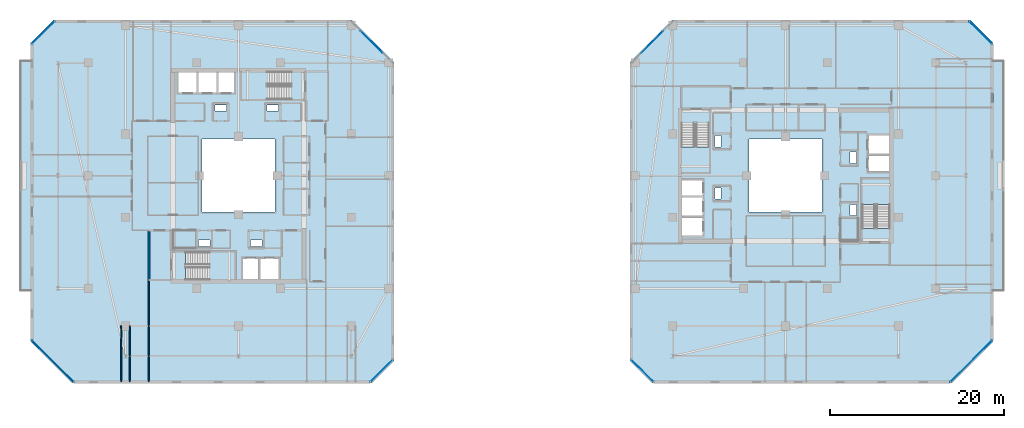
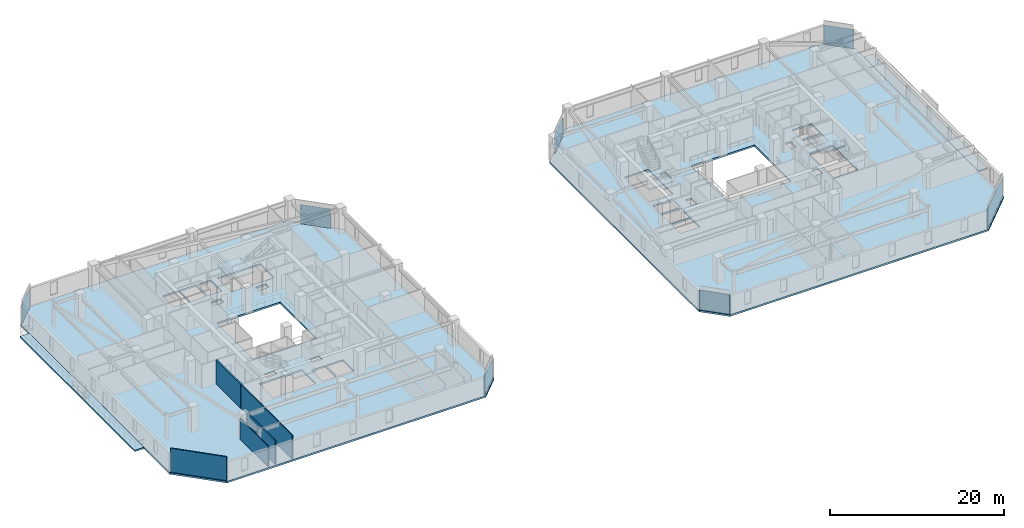
# One storey, part 17 of 32: 8 plates, 8 slabs, 5 walls, 12 elements without a shape of their own.
"""IFC4 building model written with IfcOpenShell, lengths in metres."""

from ifc_helpers import new_model, si_unit, direction, frame, frame_2d, origin, origin_2d, place, context, subcontext, project, spatial, polyline, rectangle, outline, extrude, material, layer, layer_set, type_object, element, aggregate, save


model = new_model("IFC4")

# Units and contexts
model_context = context("Model", 3, precision=1e-05, world=origin(), true_north=direction((0.0, 1.0)))
body_context = subcontext(model_context, "Body", "Model", "MODEL_VIEW")
ifc_project = project(units=[si_unit("LENGTHUNIT", "METRE"), si_unit("AREAUNIT", "SQUARE_METRE"), si_unit("VOLUMEUNIT", "CUBIC_METRE"), si_unit("PLANEANGLEUNIT", "RADIAN"), si_unit("MASSUNIT", "GRAM", prefix="KILO")], contexts=[model_context])

# Site, building, storey
site_placement = place(None, origin())
site = spatial("IfcSite", under=ifc_project, at=site_placement, CompositionType="ELEMENT")
building_placement = place(site_placement, origin())
building = spatial("IfcBuilding", under=site, at=building_placement, Name="Thornwick Lancets Civic Towers", CompositionType="ELEMENT")
storey_placement = place(building_placement, frame((0.0, 0.0, 247.5)))
storey = spatial("IfcBuildingStorey", under=building, at=storey_placement, Name="L66", CompositionType="ELEMENT", Elevation=247.5)

# Curtain wall, plate
ifc_material_1 = material(Name="High-zone chamfered-corner unitised glass curtain wall", Category="glass")
curtain_wall_type = type_object("IfcCurtainWallType", Name="CW_SYS_05", PredefinedType="NOTDEFINED", material=ifc_material_1)
curtain_wall_1_placement = place(storey_placement, origin())
curtain_wall_1 = element("IfcCurtainWall", 1, at=curtain_wall_1_placement, inside=storey, type_object=curtain_wall_type, Name="L66 Curtain Wall CW-L66-A-E1", PredefinedType="NOTDEFINED")
ifc_material_2 = material(Name="Low-e double glazing clear glass", Category="glass")
ifc_layer_1 = layer(ifc_material_2, 0.035888671875, Name="Low-e double glazing clear glass")
ifc_layer_set_1 = layer_set([ifc_layer_1], Name="Low-e double glazing clear glass")
plate_type = type_object("IfcPlateType", Name="CW_PNL_GLASS", PredefinedType="CURTAIN_PANEL", material=ifc_layer_set_1)
plate_1_placement = place(storey_placement, frame((41.972900390625, 4.527099609375, 0.0), z_axis=(0.0, 0.0, 1.0), x_axis=(0.707106781187, 0.707106781187, 0.0)))
plate_1 = element("IfcPlate", 2, at=plate_1_placement, type_object=plate_type, Name="CW-L66-A-E1 Panel 0", PredefinedType="CURTAIN_PANEL", context=body_context, shape_type="SweptSolid", body=[
    extrude(rectangle(XDim=3.649169921875, YDim=0.035888671875, at=origin_2d()), origin(), (0.0, 0.0, 1.0), 2.699951171875),
])
aggregate(curtain_wall_1, [plate_1])

curtain_wall_2_placement = place(storey_placement, origin())
curtain_wall_2 = element("IfcCurtainWall", 3, at=curtain_wall_2_placement, inside=storey, type_object=curtain_wall_type, Name="L66 Curtain Wall CW-L66-A-E3", PredefinedType="NOTDEFINED")
plate_2_placement = place(storey_placement, frame((40.8662109375, 42.3662109375, 0.0), z_axis=(0.0, 0.0, 1.0), x_axis=(-0.707106781187, 0.707106781187, 0.0)))
plate_2 = element("IfcPlate", 4, at=plate_2_placement, type_object=plate_type, Name="CW-L66-A-E3 Panel 0", PredefinedType="CURTAIN_PANEL", context=body_context, shape_type="SweptSolid", body=[
    extrude(rectangle(XDim=3.5771484375, YDim=0.035888671875, at=origin_2d()), origin(), (0.0, 0.0, 1.0), 2.699951171875),
])
aggregate(curtain_wall_2, [plate_2])

curtain_wall_3_placement = place(storey_placement, origin())
curtain_wall_3 = element("IfcCurtainWall", 5, at=curtain_wall_3_placement, inside=storey, type_object=curtain_wall_type, Name="L66 Curtain Wall CW-L66-A-E5", PredefinedType="NOTDEFINED")
plate_3_placement = place(storey_placement, frame((3.027099609375, 43.472900390625, 0.0), z_axis=(0.0, 0.0, 1.0), x_axis=(-0.707106781187, -0.707106781187, 0.0)))
plate_3 = element("IfcPlate", 6, at=plate_3_placement, type_object=plate_type, Name="CW-L66-A-E5 Panel 0", PredefinedType="CURTAIN_PANEL", context=body_context, shape_type="SweptSolid", body=[
    extrude(rectangle(XDim=3.649169921875, YDim=0.035888671875, at=origin_2d()), origin(), (0.0, 0.0, 1.0), 2.699951171875),
])
aggregate(curtain_wall_3, [plate_3])

curtain_wall_4_placement = place(storey_placement, origin())
curtain_wall_4 = element("IfcCurtainWall", 7, at=curtain_wall_4_placement, inside=storey, type_object=curtain_wall_type, Name="L66 Curtain Wall CW-L66-A-E7", PredefinedType="NOTDEFINED")
plate_4_placement = place(storey_placement, frame((4.1337890625, 5.6337890625, 0.0), z_axis=(0.0, 0.0, 1.0), x_axis=(0.707106781187, -0.707106781187, 0.0)))
plate_4 = element("IfcPlate", 8, at=plate_4_placement, type_object=plate_type, Name="CW-L66-A-E7 Panel 0", PredefinedType="CURTAIN_PANEL", context=body_context, shape_type="SweptSolid", body=[
    extrude(rectangle(XDim=6.759033203125, YDim=0.035888671875, at=origin_2d()), origin(), (0.0, 0.0, 1.0), 2.699951171875),
])
aggregate(curtain_wall_4, [plate_4])

curtain_wall_5_placement = place(storey_placement, origin())
curtain_wall_5 = element("IfcCurtainWall", 9, at=curtain_wall_5_placement, inside=storey, type_object=curtain_wall_type, Name="L66 Curtain Wall CW-L66-B-E1", PredefinedType="NOTDEFINED")
plate_5_placement = place(storey_placement, frame((109.8662109375, 5.6337890625, 0.0), z_axis=(0.0, 0.0, 1.0), x_axis=(0.707106781187, 0.707106781187, 0.0)))
plate_5 = element("IfcPlate", 10, at=plate_5_placement, type_object=plate_type, Name="CW-L66-B-E1 Panel 0", PredefinedType="CURTAIN_PANEL", context=body_context, shape_type="SweptSolid", body=[
    extrude(rectangle(XDim=6.759033203125, YDim=0.035888671875, at=origin_2d()), origin(), (0.0, 0.0, 1.0), 2.699951171875),
])
aggregate(curtain_wall_5, [plate_5])

curtain_wall_6_placement = place(storey_placement, origin())
curtain_wall_6 = element("IfcCurtainWall", 11, at=curtain_wall_6_placement, inside=storey, type_object=curtain_wall_type, Name="L66 Curtain Wall CW-L66-B-E3", PredefinedType="NOTDEFINED")
plate_6_placement = place(storey_placement, frame((110.972900390625, 43.472900390625, 0.0), z_axis=(0.0, 0.0, 1.0), x_axis=(-0.707106781187, 0.707106781187, 0.0)))
plate_6 = element("IfcPlate", 12, at=plate_6_placement, type_object=plate_type, Name="CW-L66-B-E3 Panel 0", PredefinedType="CURTAIN_PANEL", context=body_context, shape_type="SweptSolid", body=[
    extrude(rectangle(XDim=3.649169921875, YDim=0.035888671875, at=origin_2d()), origin(), (0.0, 0.0, 1.0), 2.699951171875),
])
aggregate(curtain_wall_6, [plate_6])

curtain_wall_7_placement = place(storey_placement, origin())
curtain_wall_7 = element("IfcCurtainWall", 13, at=curtain_wall_7_placement, inside=storey, type_object=curtain_wall_type, Name="L66 Curtain Wall CW-L66-B-E5", PredefinedType="NOTDEFINED")
plate_7_placement = place(storey_placement, frame((73.1337890625, 42.3662109375, 0.0), z_axis=(0.0, 0.0, 1.0), x_axis=(-0.707106781187, -0.707106781187, 0.0)))
plate_7 = element("IfcPlate", 14, at=plate_7_placement, type_object=plate_type, Name="CW-L66-B-E5 Panel 0", PredefinedType="CURTAIN_PANEL", context=body_context, shape_type="SweptSolid", body=[
    extrude(rectangle(XDim=3.5771484375, YDim=0.035888671875, at=origin_2d()), origin(), (0.0, 0.0, 1.0), 2.699951171875),
])
aggregate(curtain_wall_7, [plate_7])

curtain_wall_8_placement = place(storey_placement, origin())
curtain_wall_8 = element("IfcCurtainWall", 15, at=curtain_wall_8_placement, inside=storey, type_object=curtain_wall_type, Name="L66 Curtain Wall CW-L66-B-E7", PredefinedType="NOTDEFINED")
plate_8_placement = place(storey_placement, frame((72.027099609375, 4.527099609375, 0.0), z_axis=(0.0, 0.0, 1.0), x_axis=(0.707106781187, -0.707106781187, 0.0)))
plate_8 = element("IfcPlate", 16, at=plate_8_placement, type_object=plate_type, Name="CW-L66-B-E7 Panel 0", PredefinedType="CURTAIN_PANEL", context=body_context, shape_type="SweptSolid", body=[
    extrude(rectangle(XDim=3.649169921875, YDim=0.035888671875, at=origin_2d()), origin(), (0.0, 0.0, 1.0), 2.699951171875),
])
aggregate(curtain_wall_8, [plate_8])

# Slabs
ifc_material_3 = material(Name="Post-tensioned concrete C40/50", Category="concrete")
ifc_layer_2 = layer(ifc_material_3, 0.199951171875, Name="Post-tensioned concrete C40/50")
ifc_layer_set_2 = layer_set([ifc_layer_2], Name="Post-tensioned concrete C40/50")
slab_type_1 = type_object("IfcSlabType", Name="SLAB_BALCONY_200", PredefinedType="FLOOR", material=ifc_layer_set_2)
slab_1_placement = place(storey_placement, frame((0.0, 0.0, -0.199951171875)))
element("IfcSlab", 17, at=slab_1_placement, inside=storey, type_object=slab_type_1, Name="L66 Tower A Planted Balcony Slab W", PredefinedType="FLOOR", context=body_context, shape_type="SweptSolid", body=[
    extrude(outline(polyline([(0.35009765625, 13.800048828125), (1.60009765625, 13.800048828125), (1.60009765625, 40.199951171875), (0.35009765625, 40.199951171875), (0.35009765625, 13.800048828125)])), origin(), (0.0, 0.0, 1.0), 0.199951171875),
])
slab_2_placement = place(storey_placement, frame((0.0, 0.0, -0.199951171875)))
element("IfcSlab", 18, at=slab_2_placement, inside=storey, type_object=slab_type_1, Name="L66 Tower B Planted Balcony Slab E", PredefinedType="FLOOR", context=body_context, shape_type="SweptSolid", body=[
    extrude(outline(polyline([(112.39990234375, 13.800048828125), (113.64990234375, 13.800048828125), (113.64990234375, 40.199951171875), (112.39990234375, 40.199951171875), (112.39990234375, 13.800048828125)])), origin(), (0.0, 0.0, 1.0), 0.199951171875),
])

# Stair, slab
ifc_material_4 = material(Name="Concrete C40/50", Category="concrete")
stair_type = type_object("IfcStairType", Name="STAIR_DL_3600", PredefinedType="HALF_TURN_STAIR", material=ifc_material_4)
stair_1_placement = place(storey_placement, origin())
stair_1 = element("IfcStair", 19, at=stair_1_placement, inside=storey, type_object=stair_type, Name="L66 Tower A South Exit Stair ST-A1", PredefinedType="HALF_TURN_STAIR")
ifc_layer_3 = layer(ifc_material_4, 0.25, Name="Concrete C40/50")
ifc_layer_set_3 = layer_set([ifc_layer_3], Name="Concrete C40/50")
slab_type_2 = type_object("IfcSlabType", Name="SLAB_LANDING_200", PredefinedType="LANDING", material=ifc_layer_set_3)
slab_3_placement = place(storey_placement, frame((0.0, 0.0, 1.60302734375)))
slab_3 = element("IfcSlab", 20, at=slab_3_placement, type_object=slab_type_2, Name="ST-A1 landing 1", PredefinedType="LANDING", context=body_context, shape_type="SweptSolid", body=[
    extrude(outline(polyline([(22.169921875, 14.93994140625), (25.14990234375, 14.93994140625), (25.14990234375, 18.260009765625), (22.169921875, 18.260009765625), (22.169921875, 14.93994140625)])), origin(), (0.0, 0.0, 1.0), 0.199951171875),
])
aggregate(stair_1, [slab_3])

stair_2_placement = place(storey_placement, origin())
stair_2 = element("IfcStair", 21, at=stair_2_placement, inside=storey, type_object=stair_type, Name="L66 Tower A North Exit Stair ST-A2", PredefinedType="HALF_TURN_STAIR")
slab_4_placement = place(storey_placement, frame((0.0, 0.0, 1.60302734375)))
slab_4 = element("IfcSlab", 22, at=slab_4_placement, type_object=slab_type_2, Name="ST-A2 landing 1", PredefinedType="LANDING", context=body_context, shape_type="SweptSolid", body=[
    extrude(outline(polyline([(28.830078125, 39.06005859375), (25.85009765625, 39.06005859375), (25.85009765625, 35.739990234375), (28.830078125, 35.739990234375), (28.830078125, 39.06005859375)])), origin(), (0.0, 0.0, 1.0), 0.199951171875),
])
aggregate(stair_2, [slab_4])

stair_3_placement = place(storey_placement, origin())
stair_3 = element("IfcStair", 23, at=stair_3_placement, inside=storey, type_object=stair_type, Name="L66 Tower B East Exit Stair ST-B1", PredefinedType="HALF_TURN_STAIR")
slab_5_placement = place(storey_placement, frame((0.0, 0.0, 1.60302734375)))
slab_5 = element("IfcSlab", 24, at=slab_5_placement, type_object=slab_type_2, Name="ST-B1 landing 1", PredefinedType="LANDING", context=body_context, shape_type="SweptSolid", body=[
    extrude(outline(polyline([(100.56005859375, 23.669921875), (100.56005859375, 26.64990234375), (97.239990234375, 26.64990234375), (97.239990234375, 23.669921875), (100.56005859375, 23.669921875)])), origin(), (0.0, 0.0, 1.0), 0.199951171875),
])
aggregate(stair_3, [slab_5])

stair_4_placement = place(storey_placement, origin())
stair_4 = element("IfcStair", 25, at=stair_4_placement, inside=storey, type_object=stair_type, Name="L66 Tower B West Exit Stair ST-B2", PredefinedType="HALF_TURN_STAIR")
slab_6_placement = place(storey_placement, frame((0.0, 0.0, 1.60302734375)))
slab_6 = element("IfcSlab", 26, at=slab_6_placement, type_object=slab_type_2, Name="ST-B2 landing 1", PredefinedType="LANDING", context=body_context, shape_type="SweptSolid", body=[
    extrude(outline(polyline([(76.43994140625, 30.330078125), (76.43994140625, 27.35009765625), (79.760009765625, 27.35009765625), (79.760009765625, 30.330078125), (76.43994140625, 30.330078125)])), origin(), (0.0, 0.0, 1.0), 0.199951171875),
])
aggregate(stair_4, [slab_6])

# Slabs
ifc_layer_4 = layer(ifc_material_3, 0.239990234375, Name="Post-tensioned concrete C40/50")
ifc_layer_set_4 = layer_set([ifc_layer_4], Name="Post-tensioned concrete C40/50")
slab_type_3 = type_object("IfcSlabType", Name="SLAB_PT_240", PredefinedType="FLOOR", material=ifc_layer_set_4)
slab_7_placement = place(storey_placement, frame((0.0, 0.0, -0.239990234375)))
element("IfcSlab", 27, at=slab_7_placement, inside=storey, type_object=slab_type_3, Name="L66 Tower A Floor Slab", PredefinedType="FLOOR", context=body_context, shape_type="SweptSolid", body=[
    extrude(outline(polyline([(6.4150390625, 3.10009765625), (40.800048828125, 3.10009765625), (43.39990234375, 5.699951171875), (43.39990234375, 40.0849609375), (38.5849609375, 44.89990234375), (4.199951171875, 44.89990234375), (1.60009765625, 42.300048828125), (1.60009765625, 7.9150390625), (6.4150390625, 3.10009765625)]), holes=[polyline([(21.300048828125, 22.800048828125), (29.699951171875, 22.800048828125), (29.699951171875, 31.199951171875), (21.300048828125, 31.199951171875), (21.300048828125, 22.800048828125)]), polyline([(19.429931640625, 15.0), (25.10009765625, 15.0), (25.10009765625, 18.199951171875), (19.429931640625, 18.199951171875), (19.429931640625, 15.0)]), polyline([(31.570068359375, 39.0), (25.89990234375, 39.0), (25.89990234375, 35.800048828125), (31.570068359375, 35.800048828125), (31.570068359375, 39.0)]), polyline([(26.0, 15.0), (27.800048828125, 15.0), (27.800048828125, 17.550048828125), (26.0, 17.550048828125), (26.0, 15.0)]), polyline([(28.0, 15.0), (30.14990234375, 15.0), (30.14990234375, 17.550048828125), (28.0, 17.550048828125), (28.0, 15.0)]), polyline([(23.199951171875, 36.449951171875), (25.0, 36.449951171875), (25.0, 39.0), (23.199951171875, 39.0), (23.199951171875, 36.449951171875)]), polyline([(20.85009765625, 36.449951171875), (23.0, 36.449951171875), (23.0, 39.0), (20.85009765625, 39.0), (20.85009765625, 36.449951171875)]), polyline([(18.60009765625, 36.449951171875), (20.699951171875, 36.449951171875), (20.699951171875, 39.0), (18.60009765625, 39.0), (18.60009765625, 36.449951171875)]), polyline([(26.89990234375, 18.85009765625), (28.199951171875, 18.85009765625), (28.199951171875, 19.580078125), (26.89990234375, 19.580078125), (26.89990234375, 18.85009765625)]), polyline([(20.89990234375, 18.85009765625), (22.199951171875, 18.85009765625), (22.199951171875, 19.580078125), (20.89990234375, 19.580078125), (20.89990234375, 18.85009765625)]), polyline([(22.800048828125, 34.419921875), (24.10009765625, 34.419921875), (24.10009765625, 35.14990234375), (22.800048828125, 35.14990234375), (22.800048828125, 34.419921875)]), polyline([(28.800048828125, 34.419921875), (30.10009765625, 34.419921875), (30.10009765625, 35.14990234375), (28.800048828125, 35.14990234375), (28.800048828125, 34.419921875)])]), origin(), (0.0, 0.0, 1.0), 0.239990234375),
])
slab_8_placement = place(storey_placement, frame((0.0, 0.0, -0.239990234375)))
element("IfcSlab", 28, at=slab_8_placement, inside=storey, type_object=slab_type_3, Name="L66 Tower B Floor Slab", PredefinedType="FLOOR", context=body_context, shape_type="SweptSolid", body=[
    extrude(outline(polyline([(73.199951171875, 3.10009765625), (107.5849609375, 3.10009765625), (112.39990234375, 7.9150390625), (112.39990234375, 42.300048828125), (109.800048828125, 44.89990234375), (75.4150390625, 44.89990234375), (70.60009765625, 40.0849609375), (70.60009765625, 5.699951171875), (73.199951171875, 3.10009765625)]), holes=[polyline([(84.300048828125, 22.800048828125), (92.699951171875, 22.800048828125), (92.699951171875, 31.199951171875), (84.300048828125, 31.199951171875), (84.300048828125, 22.800048828125)]), polyline([(100.5, 20.929931640625), (100.5, 26.60009765625), (97.300048828125, 26.60009765625), (97.300048828125, 20.929931640625), (100.5, 20.929931640625)]), polyline([(76.5, 33.070068359375), (76.5, 27.39990234375), (79.699951171875, 27.39990234375), (79.699951171875, 33.070068359375), (76.5, 33.070068359375)]), polyline([(97.949951171875, 27.5), (100.5, 27.5), (100.5, 29.300048828125), (97.949951171875, 29.300048828125), (97.949951171875, 27.5)]), polyline([(97.949951171875, 29.5), (100.5, 29.5), (100.5, 31.64990234375), (97.949951171875, 31.64990234375), (97.949951171875, 29.5)]), polyline([(76.5, 24.699951171875), (79.050048828125, 24.699951171875), (79.050048828125, 26.5), (76.5, 26.5), (76.5, 24.699951171875)]), polyline([(76.5, 22.35009765625), (79.050048828125, 22.35009765625), (79.050048828125, 24.5), (76.5, 24.5), (76.5, 22.35009765625)]), polyline([(76.5, 20.10009765625), (79.050048828125, 20.10009765625), (79.050048828125, 22.199951171875), (76.5, 22.199951171875), (76.5, 20.10009765625)]), polyline([(95.919921875, 28.39990234375), (96.64990234375, 28.39990234375), (96.64990234375, 29.699951171875), (95.919921875, 29.699951171875), (95.919921875, 28.39990234375)]), polyline([(95.919921875, 22.39990234375), (96.64990234375, 22.39990234375), (96.64990234375, 23.699951171875), (95.919921875, 23.699951171875), (95.919921875, 22.39990234375)]), polyline([(80.35009765625, 24.300048828125), (81.080078125, 24.300048828125), (81.080078125, 25.60009765625), (80.35009765625, 25.60009765625), (80.35009765625, 24.300048828125)]), polyline([(80.35009765625, 30.300048828125), (81.080078125, 30.300048828125), (81.080078125, 31.60009765625), (80.35009765625, 31.60009765625), (80.35009765625, 30.300048828125)])]), origin(), (0.0, 0.0, 1.0), 0.239990234375),
])

# Walls
ifc_material_5 = material(Name="Concrete blockwork C40/50", Category="masonry")
ifc_layer_5 = layer(ifc_material_5, 0.199951171875, Name="Concrete blockwork C40/50")
ifc_layer_set_5 = layer_set([ifc_layer_5], Name="Concrete blockwork C40/50")
wall_type_1 = type_object("IfcWallType", Name="WALL_COMP_200", PredefinedType="STANDARD", material=ifc_layer_set_5)
wall_1_placement = place(storey_placement, frame((15.199951171875, 20.699951171875, 0.0), z_axis=(0.0, 0.0, 1.0), x_axis=(0.0, -1.0, 0.0)))
element("IfcWall", 29, at=wall_1_placement, inside=storey, type_object=wall_type_1, Name="L66 Partition L66-A-FFLOB1 E4", PredefinedType="STANDARD", context=body_context, shape_type="SweptSolid", body=[
    extrude(rectangle(XDim=5.699951171875, YDim=0.199951171875, at=frame_2d((2.85009765625, 0.0))), origin(), (0.0, 0.0, 1.0), 3.340087890625),
])
ifc_material_6 = material(Name="Acoustic gypsum board partition")
ifc_layer_6 = layer(ifc_material_6, 0.1201171875, Name="Acoustic gypsum board partition")
ifc_layer_set_6 = layer_set([ifc_layer_6], Name="Acoustic gypsum board partition")
wall_type_2 = type_object("IfcWallType", Name="WALL_PART_120", PredefinedType="PARTITIONING", material=ifc_layer_set_6)
wall_2_placement = place(storey_placement, frame((15.199951171875, 15.0, 0.0), z_axis=(0.0, 0.0, 1.0), x_axis=(0.0, -1.0, 0.0)))
element("IfcWall", 30, at=wall_2_placement, inside=storey, type_object=wall_type_2, Name="L66 Partition L66-A-W1 E4", PredefinedType="PARTITIONING", context=body_context, shape_type="SweptSolid", body=[
    extrude(rectangle(XDim=11.719970703125, YDim=0.1201171875, at=frame_2d((5.85986328125, 0.0))), origin(), (0.0, 0.0, 1.0), 3.340087890625),
])
wall_3_placement = place(storey_placement, frame((12.97998046875, 3.280029296875, 0.0), z_axis=(0.0, 0.0, 1.0), x_axis=(0.0, 1.0, 0.0)))
element("IfcWall", 31, at=wall_3_placement, inside=storey, type_object=wall_type_2, Name="L66 Partition L66-A-W1 E6", PredefinedType="PARTITIONING", context=body_context, shape_type="SweptSolid", body=[
    extrude(rectangle(XDim=6.419921875, YDim=0.1201171875, at=frame_2d((3.2099609375, 0.0))), origin(), (0.0, 0.0, 1.0), 3.340087890625),
])
wall_4_placement = place(storey_placement, frame((12.02001953125, 9.699951171875, 0.0), z_axis=(0.0, 0.0, 1.0), x_axis=(0.0, -1.0, 0.0)))
element("IfcWall", 32, at=wall_4_placement, inside=storey, type_object=wall_type_2, Name="L66 Partition L66-A-W1 E8", PredefinedType="PARTITIONING", context=body_context, shape_type="SweptSolid", body=[
    extrude(rectangle(XDim=6.419921875, YDim=0.1201171875, at=frame_2d((3.2099609375, 0.0))), origin(), (0.0, 0.0, 1.0), 2.89501953125),
])
wall_5_placement = place(storey_placement, frame((6.489501953125, 3.280029296875, 0.0), z_axis=(0.0, 0.0, 1.0), x_axis=(-0.707106781187, 0.707106781187, 0.0)))
element("IfcWall", 33, at=wall_5_placement, inside=storey, type_object=wall_type_2, Name="L66 Partition L66-A-W1 E10", PredefinedType="PARTITIONING", context=body_context, shape_type="SweptSolid", body=[
    extrude(rectangle(XDim=6.66015625, YDim=0.1201171875, at=frame_2d((3.330078125, 0.0))), origin(), (0.0, 0.0, 1.0), 3.340087890625),
])

save(model, "model.ifc")
